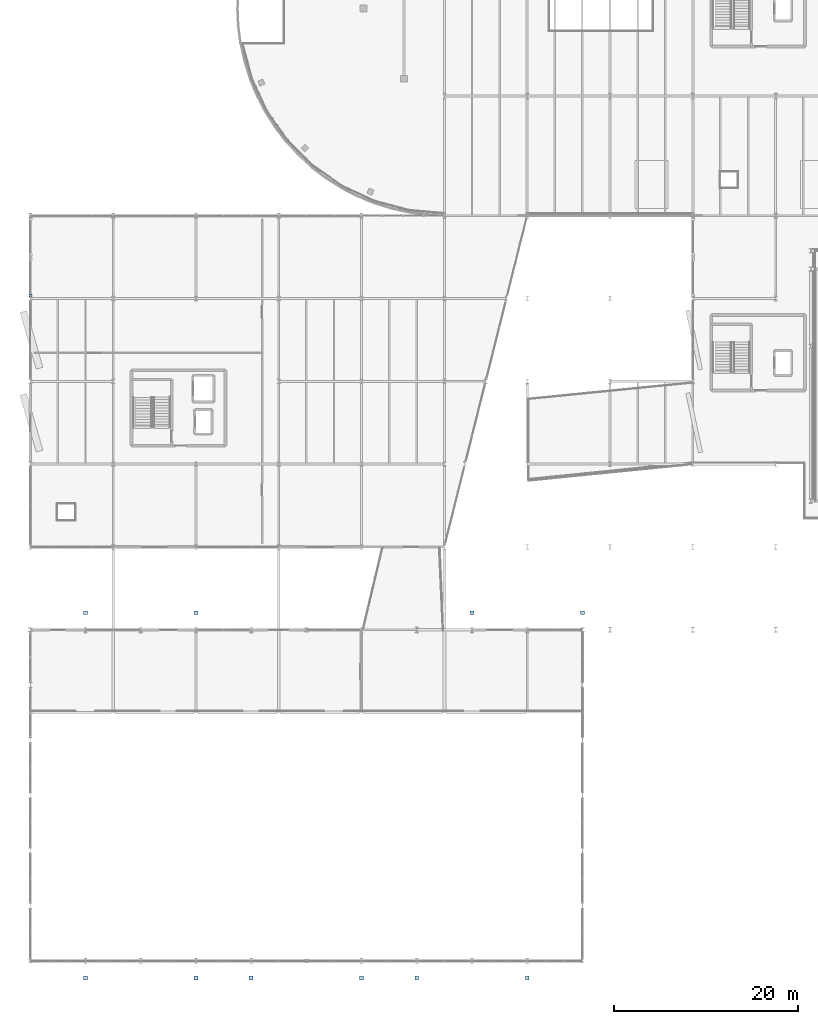
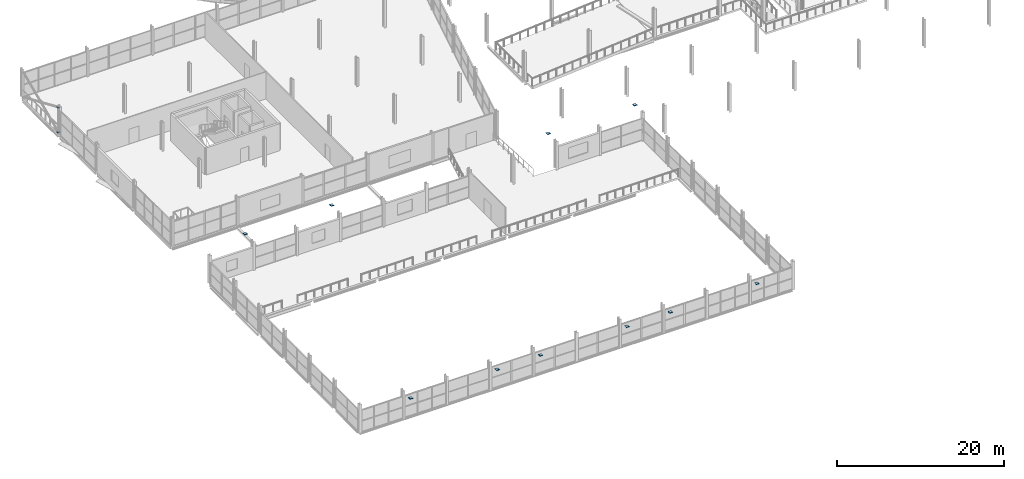
# One storey, part 107 of 135: 12 plates.
"""IFC4 building model written with IfcOpenShell, lengths in metres."""

from ifc_helpers import new_model, si_unit, direction, frame, origin, origin_2d, place, context, subcontext, project, spatial, rectangle, extrude, material, layer, layer_set, type_object, element, save


model = new_model("IFC4")

# Units and contexts
model_context = context("Model", 3, precision=1e-05, world=origin(), true_north=direction((0.0, 1.0)))
body_context = subcontext(model_context, "Body", "Model", "MODEL_VIEW")
ifc_project = project(units=[si_unit("LENGTHUNIT", "METRE"), si_unit("AREAUNIT", "SQUARE_METRE"), si_unit("VOLUMEUNIT", "CUBIC_METRE"), si_unit("PLANEANGLEUNIT", "RADIAN"), si_unit("MASSUNIT", "GRAM", prefix="KILO")], contexts=[model_context])

# Site, building, storey
site_placement = place(None, origin())
site = spatial("IfcSite", under=ifc_project, at=site_placement, CompositionType="ELEMENT")
building_placement = place(site_placement, origin())
building = spatial("IfcBuilding", under=site, at=building_placement, Name="Deido Ridge Mobility Hub", CompositionType="ELEMENT")
storey_placement = place(building_placement, frame((0.0, 0.0, 4.199951171875)))
storey = spatial("IfcBuildingStorey", under=building, at=storey_placement, Name="L01", CompositionType="ELEMENT", Elevation=4.199951171875)

# Plates
ifc_material = material(Name="Steel S355J2 EN 10025-2", Category="steel")
ifc_layer_1 = layer(ifc_material, 0.02197265625, Name="Steel S355J2 EN 10025-2")
ifc_layer_set_1 = layer_set([ifc_layer_1], Name="Steel S355J2 EN 10025-2")
plate_type_1 = type_object("IfcPlateType", Name="PLT-CAP-22", PredefinedType="USERDEFINED", material=ifc_layer_set_1)
for number, where, z_axis, x_axis, name in (
    (1, (0.0, 72.300048828125, 0.1689453125), (0.0, 0.0, 1.0), (1.0, 0.0, 0.0), "Brace sealed end-cap plate EC2 92"),
    (2, (0.0, 72.300048828125, 3.80908203125), (0.0, 0.0, 1.0), (1.0, 0.0, 0.0), "Brace sealed end-cap plate EC2 95"),
):
    element("IfcPlate", number, at=place(storey_placement, frame(where, z_axis=z_axis, x_axis=x_axis)), inside=storey, type_object=plate_type_1, Name=name, ObjectType="END CAP PLATE", PredefinedType="USERDEFINED", context=body_context, shape_type="SweptSolid", body=[
        extrude(rectangle(XDim=0.320068359375, YDim=0.320068359375, at=origin_2d()), origin(), (0.0, 0.0, 1.0), 0.02197265625),
    ])
ifc_layer_2 = layer(ifc_material, 0.02490234375, Name="Steel S355J2 EN 10025-2")
ifc_layer_set_2 = layer_set([ifc_layer_2], Name="Steel S355J2 EN 10025-2")
plate_type_2 = type_object("IfcPlateType", Name="PLT-CAP-25", PredefinedType="USERDEFINED", material=ifc_layer_set_2)
for number, where, z_axis, x_axis, name in (
    (3, (6.0, -1.85009765625, 4.0576171875), (0.0, 0.0, 1.0), (1.0, 0.0, 0.0), "Exoskeleton node cap plate EC3 101"),
    (4, (18.0, -1.85009765625, 4.0576171875), (0.0, 0.0, 1.0), (1.0, 0.0, 0.0), "Exoskeleton node cap plate EC3 102"),
    (5, (24.0, -1.85009765625, 4.0576171875), (0.0, 0.0, 1.0), (1.0, 0.0, 0.0), "Exoskeleton node cap plate EC3 105"),
    (6, (36.0, -1.85009765625, 4.0576171875), (0.0, 0.0, 1.0), (1.0, 0.0, 0.0), "Exoskeleton node cap plate EC3 106"),
    (7, (42.0, -1.85009765625, 4.0576171875), (0.0, 0.0, 1.0), (1.0, 0.0, 0.0), "Exoskeleton node cap plate EC3 109"),
    (8, (54.0, -1.85009765625, 4.0576171875), (0.0, 0.0, 1.0), (1.0, 0.0, 0.0), "Exoskeleton node cap plate EC3 110"),
    (9, (6.0, 37.85009765625, 4.0576171875), (0.0, 0.0, 1.0), (1.0, 0.0, 0.0), "Exoskeleton node cap plate EC3 113"),
    (10, (18.0, 37.85009765625, 4.0576171875), (0.0, 0.0, 1.0), (1.0, 0.0, 0.0), "Exoskeleton node cap plate EC3 114"),
    (11, (48.0, 37.85009765625, 4.0576171875), (0.0, 0.0, 1.0), (1.0, 0.0, 0.0), "Exoskeleton node cap plate EC3 117"),
    (12, (60.0, 37.85009765625, 4.0576171875), (0.0, 0.0, 1.0), (1.0, 0.0, 0.0), "Exoskeleton node cap plate EC3 118"),
):
    element("IfcPlate", number, at=place(storey_placement, frame(where, z_axis=z_axis, x_axis=x_axis)), inside=storey, type_object=plate_type_2, Name=name, ObjectType="END CAP PLATE", PredefinedType="USERDEFINED", context=body_context, shape_type="SweptSolid", body=[
        extrude(rectangle(XDim=0.419921875, YDim=0.419921875, at=origin_2d()), origin(), (0.0, 0.0, 1.0), 0.02490234375),
    ])

save(model, "model.ifc")
